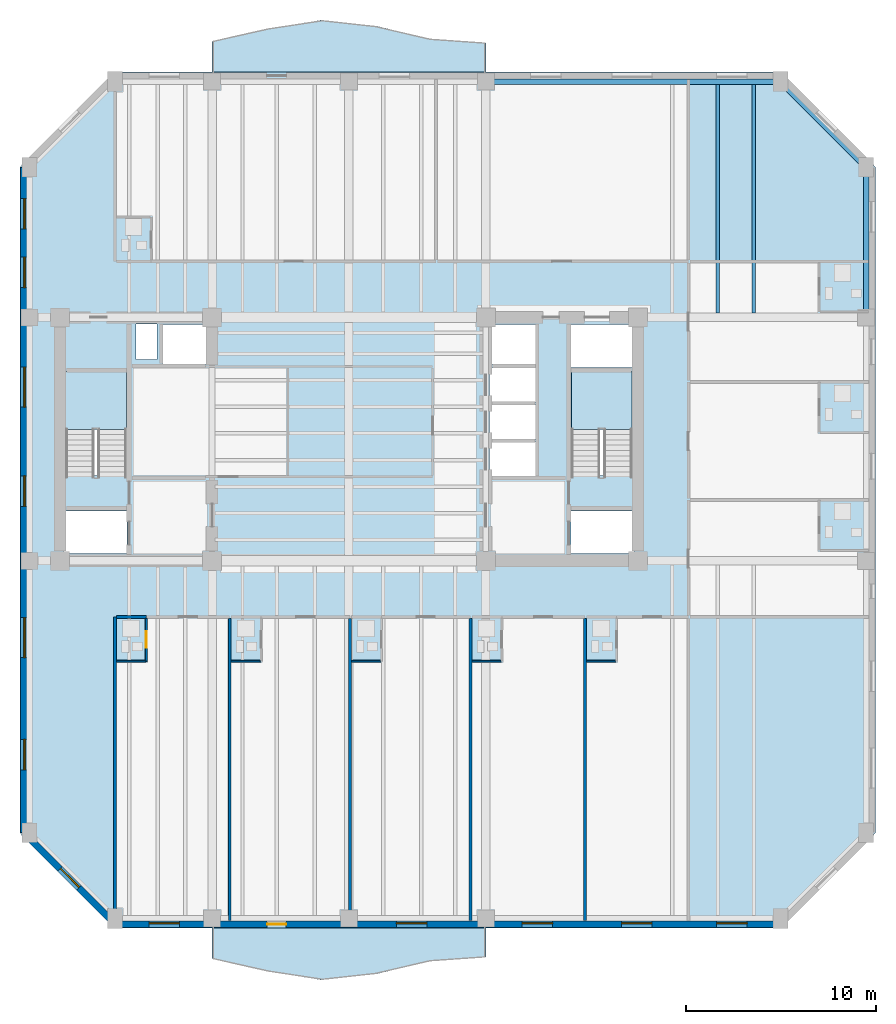
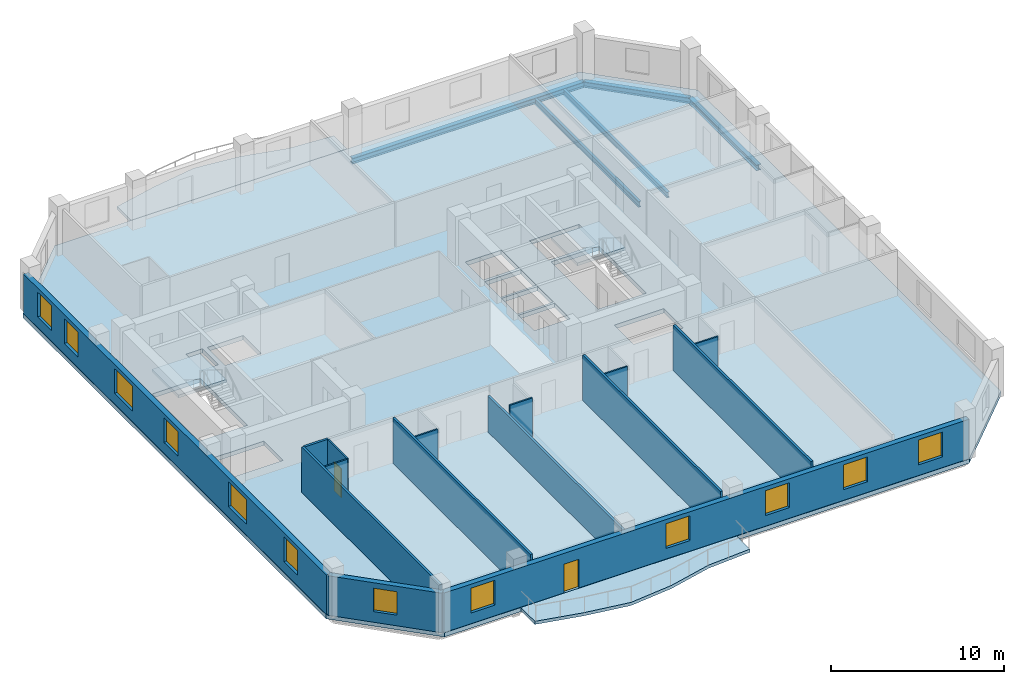
# One storey, part 2 of 10: 15 walls, 12 windows, 5 beams, 5 slabs, 2 doors, 14 openings, 2 elements without a shape of their own.
"""IFC4 building model written with IfcOpenShell, lengths in metres."""

from ifc_helpers import new_model, si_unit, direction, frame, frame_2d, origin, origin_2d, place, context, subcontext, project, spatial, polyline, rectangle, i_section, outline, extrude, material, layer, layer_set, material_profile, profile_set, type_object, element, fill, aggregate, save


model = new_model("IFC4")

# Units and contexts
model_context = context("Model", 3, precision=1e-05, world=origin(), true_north=direction((0.0, 1.0)))
body_context = subcontext(model_context, "Body", "Model", "MODEL_VIEW")
ifc_project = project(units=[si_unit("LENGTHUNIT", "METRE"), si_unit("AREAUNIT", "SQUARE_METRE"), si_unit("VOLUMEUNIT", "CUBIC_METRE"), si_unit("PLANEANGLEUNIT", "RADIAN"), si_unit("MASSUNIT", "GRAM", prefix="KILO")], contexts=[model_context])

# Site, building, storey
site_placement = place(None, origin())
site = spatial("IfcSite", under=ifc_project, at=site_placement, CompositionType="ELEMENT")
building_placement = place(site_placement, origin())
building = spatial("IfcBuilding", under=site, at=building_placement, Name="Kranthara Brick Stack", CompositionType="ELEMENT")
storey_placement = place(building_placement, frame((0.0, 0.0, 151.800048828125)))
storey = spatial("IfcBuildingStorey", under=building, at=storey_placement, Name="L38", CompositionType="ELEMENT", Elevation=151.800048828125)

# Beams
ifc_material_1 = material(Name="Steel S355", Category="steel")
ifc_material_profile_1 = material_profile(ifc_material_1, i_section(OverallWidth=0.179931640625, OverallDepth=0.39990234375, WebThickness=0.008544921875, FlangeThickness=0.013427734375, at=origin_2d()), Name="IPE 400")
ifc_profile_set_1 = profile_set([ifc_material_profile_1], Name="Steel S355")
beam_type_1 = type_object("IfcBeamType", Name="BM-JST-IPE400", PredefinedType="JOIST", material=ifc_profile_set_1)
for number, where, z_axis, x_axis, name in (
    (1, (47.39990234375, 33.824951171875, -0.5), (0.0, 1.0, 0.0), (-1.0, 0.0, 0.0), "L38 North Wing Floor Joist 073"),
    (2, (49.300048828125, 33.824951171875, -0.5), (0.0, 1.0, 0.0), (-1.0, 0.0, 0.0), "L38 North Wing Floor Joist 075"),
):
    element("IfcBeam", number, at=place(storey_placement, frame(where, z_axis=z_axis, x_axis=x_axis)), inside=storey, type_object=beam_type_1, Name=name, PredefinedType="JOIST", context=body_context, shape_type="SweptSolid", body=[
        extrude(i_section(OverallWidth=0.179931640625, OverallDepth=0.39990234375, WebThickness=0.008544921875, FlangeThickness=0.013427734375, at=origin_2d()), origin(), (0.0, 0.0, 1.0), 12.025146484375),
    ])
ifc_material_2 = material(Name="Steel S355", Category="steel")
ifc_material_profile_2 = material_profile(ifc_material_2, i_section(OverallWidth=0.300048828125, OverallDepth=0.39990234375, WebThickness=0.013427734375, FlangeThickness=0.02392578125, at=origin_2d()), Name="HEB 400")
ifc_profile_set_2 = profile_set([ifc_material_profile_2], Name="Steel S355")
beam_type_2 = type_object("IfcBeamType", Name="BM-STL-HEB400", PredefinedType="SPANDREL", material=ifc_profile_set_2)
beam_1_placement = place(storey_placement, frame((35.199951171875, 46.0, -0.5), z_axis=(1.0, 0.0, 0.0), x_axis=(0.0, 1.0, 0.0)))
element("IfcBeam", 3, at=beam_1_placement, inside=storey, type_object=beam_type_2, Name="L38 Perimeter Spandrel Beam 012", PredefinedType="SPANDREL", context=body_context, shape_type="SweptSolid", body=[
    extrude(i_section(OverallWidth=0.300048828125, OverallDepth=0.39990234375, WebThickness=0.013427734375, FlangeThickness=0.02392578125, at=origin_2d()), origin(), (0.0, 0.0, 1.0), 15.5),
])
beam_2_placement = place(storey_placement, frame((55.199951171875, 33.60009765625, -0.5), z_axis=(0.0, 1.0, 0.0), x_axis=(-1.0, 0.0, 0.0)))
element("IfcBeam", 4, at=beam_2_placement, inside=storey, type_object=beam_type_2, Name="L38 Perimeter Spandrel Beam 018", PredefinedType="SPANDREL", context=body_context, shape_type="SweptSolid", body=[
    extrude(i_section(OverallWidth=0.300048828125, OverallDepth=0.39990234375, WebThickness=0.013427734375, FlangeThickness=0.02392578125, at=origin_2d()), origin(), (0.0, 0.0, 1.0), 7.89990234375),
])
beam_3_placement = place(storey_placement, frame((50.699951171875, 46.0, -0.5), z_axis=(0.707106781187, -0.707106781187, 0.0), x_axis=(0.707106781187, 0.707106781187, 0.0)))
element("IfcBeam", 5, at=beam_3_placement, inside=storey, type_object=beam_type_2, Name="L38 Chamfer Corner Spandrel 022", PredefinedType="SPANDREL", context=body_context, shape_type="SweptSolid", body=[
    extrude(i_section(OverallWidth=0.300048828125, OverallDepth=0.39990234375, WebThickness=0.013427734375, FlangeThickness=0.02392578125, at=origin_2d()), origin(), (0.0, 0.0, 1.0), 6.364013671875),
])

# Slabs
ifc_material_3 = material(Name="Concrete C45/55", Category="concrete")
ifc_layer_1 = layer(ifc_material_3, 0.219970703125)
ifc_layer_set_1 = layer_set([ifc_layer_1], Name="Concrete C45/55")
slab_type_1 = type_object("IfcSlabType", Name="SLB-BALC-220", PredefinedType="FLOOR", material=ifc_layer_set_1)
slab_1_placement = place(storey_placement, frame((0.0, 0.0, -0.219970703125)))
element("IfcSlab", 6, at=slab_1_placement, inside=storey, type_object=slab_type_1, Name="L38 South Rippling Balcony Slab", PredefinedType="FLOOR", context=body_context, shape_type="SweptSolid", body=[
    extrude(outline(polyline([(20.800048828125, 1.5), (35.199951171875, 1.5), (35.199951171875, -0.027587890625), (32.320068359375, -0.23291015625), (29.43994140625, -0.931396484375), (26.56005859375, -1.24462890625), (23.679931640625, -0.7783203125), (20.800048828125, -0.119384765625), (20.800048828125, 1.5)])), origin(), (0.0, 0.0, 1.0), 0.219970703125),
])
slab_2_placement = place(storey_placement, frame((0.0, 0.0, -0.219970703125)))
element("IfcSlab", 7, at=slab_2_placement, inside=storey, type_object=slab_type_1, Name="L38 North Rippling Balcony Slab", PredefinedType="FLOOR", context=body_context, shape_type="SweptSolid", body=[
    extrude(outline(polyline([(35.199951171875, 46.5), (20.800048828125, 46.5), (20.800048828125, 48.119384765625), (23.679931640625, 48.7783203125), (26.56005859375, 49.24462890625), (29.43994140625, 48.931396484375), (32.320068359375, 48.23291015625), (35.199951171875, 48.027587890625), (35.199951171875, 46.5)])), origin(), (0.0, 0.0, 1.0), 0.219970703125),
])

# Stair, slab
ifc_material_4 = material(Name="Concrete C45/55", Category="concrete")
stair_type = type_object("IfcStairType", Name="ST-CORE-20R", PredefinedType="HALF_TURN_STAIR", material=ifc_material_4)
stair_1_placement = place(storey_placement, origin())
stair_1 = element("IfcStair", 8, at=stair_1_placement, inside=storey, type_object=stair_type, Name="L38 West Core Protected Exit Stair ST01", PredefinedType="HALF_TURN_STAIR")
ifc_material_5 = material(Name="Concrete C45/55", Category="concrete")
ifc_layer_2 = layer(ifc_material_5, 0.199951171875)
ifc_layer_set_2 = layer_set([ifc_layer_2], Name="Concrete C45/55")
slab_type_2 = type_object("IfcSlabType", Name="SLB-LANDING-200", PredefinedType="LANDING", material=ifc_layer_set_2)
slab_3_placement = place(storey_placement, frame((0.0, 0.0, 1.550048828125)))
slab_3 = element("IfcSlab", 9, at=slab_3_placement, type_object=slab_type_2, Name="ST01 landing 1", PredefinedType="LANDING", context=body_context, shape_type="SweptSolid", body=[
    extrude(outline(polyline([(16.300048828125, 27.719970703125), (16.300048828125, 30.75), (13.10009765625, 30.75), (13.10009765625, 27.719970703125), (16.300048828125, 27.719970703125)])), origin(), (0.0, 0.0, 1.0), 0.199951171875),
])
aggregate(stair_1, [slab_3])

stair_2_placement = place(storey_placement, origin())
stair_2 = element("IfcStair", 10, at=stair_2_placement, inside=storey, type_object=stair_type, Name="L38 East Core Protected Exit Stair ST02", PredefinedType="HALF_TURN_STAIR")
slab_4_placement = place(storey_placement, frame((0.0, 0.0, 1.550048828125)))
slab_4 = element("IfcSlab", 11, at=slab_4_placement, type_object=slab_type_2, Name="ST02 landing 1", PredefinedType="LANDING", context=body_context, shape_type="SweptSolid", body=[
    extrude(outline(polyline([(42.89990234375, 27.719970703125), (42.89990234375, 30.75), (39.699951171875, 30.75), (39.699951171875, 27.719970703125), (42.89990234375, 27.719970703125)])), origin(), (0.0, 0.0, 1.0), 0.199951171875),
])
aggregate(stair_2, [slab_4])

# Slab
ifc_material_6 = material(Name="Post-tensioned concrete C45/55", Category="concrete")
ifc_layer_3 = layer(ifc_material_6, 0.300048828125)
ifc_layer_set_3 = layer_set([ifc_layer_3], Name="Post-tensioned concrete C45/55")
slab_type_3 = type_object("IfcSlabType", Name="SLB-TWR-300", PredefinedType="FLOOR", material=ifc_layer_set_3)
slab_5_placement = place(storey_placement, frame((0.0, 0.0, -0.300048828125)))
element("IfcSlab", 12, at=slab_5_placement, inside=storey, type_object=slab_type_3, Name="L38 Structural Floor Plate", PredefinedType="FLOOR", context=body_context, shape_type="SweptSolid", body=[
    extrude(outline(polyline([(15.699951171875, 1.5), (50.699951171875, 1.5), (55.699951171875, 6.5), (55.699951171875, 41.5), (50.699951171875, 46.5), (15.699951171875, 46.5), (10.699951171875, 41.5), (10.699951171875, 6.5), (15.699951171875, 1.5)]), holes=[polyline([(13.10009765625, 25.280029296875), (16.300048828125, 25.280029296875), (16.300048828125, 30.75), (13.10009765625, 30.75), (13.10009765625, 25.280029296875)]), polyline([(39.699951171875, 25.280029296875), (42.89990234375, 25.280029296875), (42.89990234375, 30.75), (39.699951171875, 30.75), (39.699951171875, 25.280029296875)]), polyline([(13.0, 21.179931640625), (16.320068359375, 21.179931640625), (16.320068359375, 23.419921875), (13.0, 23.419921875), (13.0, 21.179931640625)]), polyline([(39.679931640625, 21.179931640625), (43.0, 21.179931640625), (43.0, 23.419921875), (39.679931640625, 23.419921875), (39.679931640625, 21.179931640625)]), polyline([(39.679931640625, 30.97998046875), (43.0, 30.97998046875), (43.0, 33.219970703125), (39.679931640625, 33.219970703125), (39.679931640625, 30.97998046875)]), polyline([(35.39990234375, 25.25), (37.800048828125, 25.25), (37.800048828125, 27.050048828125), (35.39990234375, 27.050048828125), (35.39990234375, 25.25)]), polyline([(35.39990234375, 27.199951171875), (37.800048828125, 27.199951171875), (37.800048828125, 29.0), (35.39990234375, 29.0), (35.39990234375, 27.199951171875)]), polyline([(35.39990234375, 29.14990234375), (37.800048828125, 29.14990234375), (37.800048828125, 30.949951171875), (35.39990234375, 30.949951171875), (35.39990234375, 29.14990234375)]), polyline([(18.199951171875, 31.14990234375), (20.60009765625, 31.14990234375), (20.60009765625, 33.219970703125), (18.199951171875, 33.219970703125), (18.199951171875, 31.14990234375)]), polyline([(35.39990234375, 31.14990234375), (37.800048828125, 31.14990234375), (37.800048828125, 33.219970703125), (35.39990234375, 33.219970703125), (35.39990234375, 31.14990234375)]), polyline([(16.800048828125, 31.39990234375), (17.89990234375, 31.39990234375), (17.89990234375, 33.25), (16.800048828125, 33.25), (16.800048828125, 31.39990234375)])]), origin(), (0.0, 0.0, 1.0), 0.300048828125),
])

# Wall, openings, door, windows
ifc_material_7 = material(Name="Kiln-fired clay brick masonry M15", Category="masonry")
ifc_layer_4 = layer(ifc_material_7, 0.35009765625)
ifc_layer_set_4 = layer_set([ifc_layer_4], Name="Kiln-fired clay brick masonry M15")
wall_type_1 = type_object("IfcWallType", Name="WL-BRK-SPND-350", PredefinedType="STANDARD", material=ifc_layer_set_4)
wall_1_placement = place(storey_placement, frame((50.699951171875, 1.695068359375, 0.0), z_axis=(0.0, 0.0, 1.0), x_axis=(-1.0, 0.0, 0.0)))
wall_1 = element("IfcWall", 13, at=wall_1_placement, inside=storey, type_object=wall_type_1, Name="L38 Exterior Brick Facade Wall SOUTH 1", PredefinedType="STANDARD", context=body_context, shape_type="SweptSolid", body=[
    extrude(rectangle(XDim=35.0, YDim=0.35009765625, at=frame_2d((17.5, 0.0))), origin(), (0.0, 0.0, 1.0), 2.784912109375),
])
opening_1_placement = place(wall_1_placement, frame((26.0, 0.0, 0.0)))
opening_1 = element("IfcOpeningElement", 14, at=opening_1_placement, cuts=wall_1, Name="Opening D03", PredefinedType="OPENING", context=body_context, shape_type="SweptSolid", body=[
    extrude(rectangle(XDim=1.0, YDim=2.02001953125, at=frame_2d((0.5, 1.010009765625))), frame((0.0, 0.18505859375, 0.0), z_axis=(0.0, -1.0, 0.0), x_axis=(1.0, 0.0, 0.0)), (0.0, 0.0, 1.0), 0.3701171875),
])
opening_2_placement = place(wall_1_placement, frame((1.762939453125, 0.0, 0.75)))
opening_2 = element("IfcOpeningElement", 15, at=opening_2_placement, cuts=wall_1, Name="Opening WN04", PredefinedType="OPENING", context=body_context, shape_type="SweptSolid", body=[
    extrude(rectangle(XDim=1.60009765625, YDim=1.75, at=frame_2d((0.800048828125, 0.875))), frame((0.0, 0.18505859375, 0.0), z_axis=(0.0, -1.0, 0.0), x_axis=(1.0, 0.0, 0.0)), (0.0, 0.0, 1.0), 0.3701171875),
])
opening_3_placement = place(wall_1_placement, frame((6.763916015625, 0.0, 0.75)))
opening_3 = element("IfcOpeningElement", 16, at=opening_3_placement, cuts=wall_1, Name="Opening WN04", PredefinedType="OPENING", context=body_context, shape_type="SweptSolid", body=[
    extrude(rectangle(XDim=1.60009765625, YDim=1.75, at=frame_2d((0.800048828125, 0.875))), frame((0.0, 0.18505859375, 0.0), z_axis=(0.0, -1.0, 0.0), x_axis=(1.0, 0.0, 0.0)), (0.0, 0.0, 1.0), 0.3701171875),
])
opening_4_placement = place(wall_1_placement, frame((11.989013671875, 0.0, 0.75)))
opening_4 = element("IfcOpeningElement", 17, at=opening_4_placement, cuts=wall_1, Name="Opening WN04", PredefinedType="OPENING", context=body_context, shape_type="SweptSolid", body=[
    extrude(rectangle(XDim=1.60009765625, YDim=1.75, at=frame_2d((0.800048828125, 0.875))), frame((0.0, 0.18505859375, 0.0), z_axis=(0.0, -1.0, 0.0), x_axis=(1.0, 0.0, 0.0)), (0.0, 0.0, 1.0), 0.3701171875),
])
opening_5_placement = place(wall_1_placement, frame((18.60400390625, 0.0, 0.75)))
opening_5 = element("IfcOpeningElement", 18, at=opening_5_placement, cuts=wall_1, Name="Opening WN04", PredefinedType="OPENING", context=body_context, shape_type="SweptSolid", body=[
    extrude(rectangle(XDim=1.60009765625, YDim=1.75, at=frame_2d((0.800048828125, 0.875))), frame((0.0, 0.18505859375, 0.0), z_axis=(0.0, -1.0, 0.0), x_axis=(1.0, 0.0, 0.0)), (0.0, 0.0, 1.0), 0.3701171875),
])
opening_6_placement = place(wall_1_placement, frame((31.613037109375, 0.0, 0.75)))
opening_6 = element("IfcOpeningElement", 19, at=opening_6_placement, cuts=wall_1, Name="Opening WN04", PredefinedType="OPENING", context=body_context, shape_type="SweptSolid", body=[
    extrude(rectangle(XDim=1.60009765625, YDim=1.75, at=frame_2d((0.800048828125, 0.875))), frame((0.0, 0.18505859375, 0.0), z_axis=(0.0, -1.0, 0.0), x_axis=(1.0, 0.0, 0.0)), (0.0, 0.0, 1.0), 0.3701171875),
])
ifc_material_8 = material(Name="Bronze anodised aluminium and laminated glass", Category="aluminium")
door_type_1 = type_object("IfcDoorType", Name="DR-BALC-1000", OperationType="NOTDEFINED", PredefinedType="DOOR", material=ifc_material_8)
door_1_placement = place(opening_1_placement, origin())
door_1 = element("IfcDoor", 20, at=door_1_placement, inside=storey, type_object=door_type_1, Name="L38 South Balcony Terrace Door", OperationType="SINGLE_SWING_LEFT", OverallHeight=2.02001953125, OverallWidth=1.0, PredefinedType="DOOR", context=body_context, shape_type="SweptSolid", body=[
    extrude(rectangle(XDim=1.0, YDim=2.02001953125, at=frame_2d((0.5, 1.010009765625))), frame((0.0, 0.02490234375, 0.0), z_axis=(0.0, -1.0, 0.0), x_axis=(1.0, 0.0, 0.0)), (0.0, 0.0, 1.0), 0.050048828125),
])
fill(opening_1, door_1)
ifc_material_9 = material(Name="Double-glazed low-E solar control glass", Category="glass")
window_type_1 = type_object("IfcWindowType", Name="WN-HTL-1600x1850", PartitioningType="DOUBLE_PANEL_VERTICAL", PredefinedType="WINDOW", material=ifc_material_9)
window_1_placement = place(opening_2_placement, origin())
window_1 = element("IfcWindow", 21, at=window_1_placement, inside=storey, type_object=window_type_1, Name="L38 South Deep-Set Brick Window 01", OverallHeight=1.75, OverallWidth=1.60009765625, PartitioningType="SINGLE_PANEL", PredefinedType="WINDOW", context=body_context, shape_type="SweptSolid", body=[
    extrude(rectangle(XDim=1.60009765625, YDim=1.75, at=frame_2d((0.800048828125, 0.875))), frame((0.0, -0.010009765625, 0.0), z_axis=(0.0, -1.0, 0.0), x_axis=(1.0, 0.0, 0.0)), (0.0, 0.0, 1.0), 0.06005859375),
])
fill(opening_2, window_1)
window_2_placement = place(opening_3_placement, origin())
window_2 = element("IfcWindow", 22, at=window_2_placement, inside=storey, type_object=window_type_1, Name="L38 South Deep-Set Brick Window 02", OverallHeight=1.75, OverallWidth=1.60009765625, PartitioningType="SINGLE_PANEL", PredefinedType="WINDOW", context=body_context, shape_type="SweptSolid", body=[
    extrude(rectangle(XDim=1.60009765625, YDim=1.75, at=frame_2d((0.800048828125, 0.875))), frame((0.0, -0.010009765625, 0.0), z_axis=(0.0, -1.0, 0.0), x_axis=(1.0, 0.0, 0.0)), (0.0, 0.0, 1.0), 0.06005859375),
])
fill(opening_3, window_2)
window_3_placement = place(opening_4_placement, origin())
window_3 = element("IfcWindow", 23, at=window_3_placement, inside=storey, type_object=window_type_1, Name="L38 South Deep-Set Brick Window 03", OverallHeight=1.75, OverallWidth=1.60009765625, PartitioningType="SINGLE_PANEL", PredefinedType="WINDOW", context=body_context, shape_type="SweptSolid", body=[
    extrude(rectangle(XDim=1.60009765625, YDim=1.75, at=frame_2d((0.800048828125, 0.875))), frame((0.0, -0.010009765625, 0.0), z_axis=(0.0, -1.0, 0.0), x_axis=(1.0, 0.0, 0.0)), (0.0, 0.0, 1.0), 0.06005859375),
])
fill(opening_4, window_3)
window_4_placement = place(opening_5_placement, origin())
window_4 = element("IfcWindow", 24, at=window_4_placement, inside=storey, type_object=window_type_1, Name="L38 South Deep-Set Brick Window 04", OverallHeight=1.75, OverallWidth=1.60009765625, PartitioningType="SINGLE_PANEL", PredefinedType="WINDOW", context=body_context, shape_type="SweptSolid", body=[
    extrude(rectangle(XDim=1.60009765625, YDim=1.75, at=frame_2d((0.800048828125, 0.875))), frame((0.0, -0.010009765625, 0.0), z_axis=(0.0, -1.0, 0.0), x_axis=(1.0, 0.0, 0.0)), (0.0, 0.0, 1.0), 0.06005859375),
])
fill(opening_5, window_4)
window_5_placement = place(opening_6_placement, origin())
window_5 = element("IfcWindow", 25, at=window_5_placement, inside=storey, type_object=window_type_1, Name="L38 South Deep-Set Brick Window 05", OverallHeight=1.75, OverallWidth=1.60009765625, PartitioningType="SINGLE_PANEL", PredefinedType="WINDOW", context=body_context, shape_type="SweptSolid", body=[
    extrude(rectangle(XDim=1.60009765625, YDim=1.75, at=frame_2d((0.800048828125, 0.875))), frame((0.0, -0.010009765625, 0.0), z_axis=(0.0, -1.0, 0.0), x_axis=(1.0, 0.0, 0.0)), (0.0, 0.0, 1.0), 0.06005859375),
])
fill(opening_6, window_5)

# Wall, opening, window
wall_2_placement = place(storey_placement, frame((15.699951171875, 1.695068359375, 0.0), z_axis=(0.0, 0.0, 1.0), x_axis=(-0.707106781187, 0.707106781187, 0.0)))
wall_2 = element("IfcWall", 26, at=wall_2_placement, inside=storey, type_object=wall_type_1, Name="L38 Exterior Brick Facade Wall SW 1", PredefinedType="STANDARD", context=body_context, shape_type="SweptSolid", body=[
    extrude(rectangle(XDim=6.795166015625, YDim=0.35009765625, at=frame_2d((3.3974609375, 0.0))), origin(), (0.0, 0.0, 1.0), 2.784912109375),
])
opening_7_placement = place(wall_2_placement, frame((2.697998046875, 0.0, 0.75)))
opening_7 = element("IfcOpeningElement", 27, at=opening_7_placement, cuts=wall_2, Name="Opening WN10", PredefinedType="OPENING", context=body_context, shape_type="SweptSolid", body=[
    extrude(rectangle(XDim=1.39990234375, YDim=1.64990234375, at=frame_2d((0.699951171875, 0.824951171875))), frame((0.0, 0.18505859375, 0.0), z_axis=(0.0, -1.0, 0.0), x_axis=(1.0, 0.0, 0.0)), (0.0, 0.0, 1.0), 0.3701171875),
])
ifc_material_10 = material(Name="Double-glazed low-E solar control glass", Category="glass")
window_type_2 = type_object("IfcWindowType", Name="WN-CHM-1400x1750", PartitioningType="SINGLE_PANEL", PredefinedType="WINDOW", material=ifc_material_10)
window_6_placement = place(opening_7_placement, origin())
window_6 = element("IfcWindow", 28, at=window_6_placement, inside=storey, type_object=window_type_2, Name="L38 SW Chamfer Corner Window", OverallHeight=1.64990234375, OverallWidth=1.39990234375, PartitioningType="SINGLE_PANEL", PredefinedType="WINDOW", context=body_context, shape_type="SweptSolid", body=[
    extrude(rectangle(XDim=1.39990234375, YDim=1.64990234375, at=frame_2d((0.699951171875, 0.824951171875))), frame((0.0, -0.010009765625, 0.0), z_axis=(0.0, -1.0, 0.0), x_axis=(1.0, 0.0, 0.0)), (0.0, 0.0, 1.0), 0.06005859375),
])
fill(opening_7, window_6)

# Wall, openings, windows
wall_3_placement = place(storey_placement, frame((10.89501953125, 6.5, 0.0), z_axis=(0.0, 0.0, 1.0), x_axis=(0.0, 1.0, 0.0)))
wall_3 = element("IfcWall", 29, at=wall_3_placement, inside=storey, type_object=wall_type_1, Name="L38 Exterior Brick Facade Wall WEST 1", PredefinedType="STANDARD", context=body_context, shape_type="SweptSolid", body=[
    extrude(rectangle(XDim=35.0, YDim=0.35009765625, at=frame_2d((17.5, 0.0))), origin(), (0.0, 0.0, 1.0), 2.784912109375),
])
opening_8_placement = place(wall_3_placement, frame((3.31005859375, 0.0, 0.75)))
opening_8 = element("IfcOpeningElement", 30, at=opening_8_placement, cuts=wall_3, Name="Opening WN04", PredefinedType="OPENING", context=body_context, shape_type="SweptSolid", body=[
    extrude(rectangle(XDim=1.60009765625, YDim=1.75, at=frame_2d((0.800048828125, 0.875))), frame((0.0, 0.18505859375, 0.0), z_axis=(0.0, -1.0, 0.0), x_axis=(1.0, 0.0, 0.0)), (0.0, 0.0, 1.0), 0.3701171875),
])
opening_9_placement = place(wall_3_placement, frame((9.216064453125, 0.0, 0.75)))
opening_9 = element("IfcOpeningElement", 31, at=opening_9_placement, cuts=wall_3, Name="Opening WN05", PredefinedType="OPENING", context=body_context, shape_type="SweptSolid", body=[
    extrude(rectangle(XDim=2.10009765625, YDim=1.75, at=frame_2d((1.050048828125, 0.875))), frame((0.0, 0.18505859375, 0.0), z_axis=(0.0, -1.0, 0.0), x_axis=(1.0, 0.0, 0.0)), (0.0, 0.0, 1.0), 0.3701171875),
])
opening_10_placement = place(wall_3_placement, frame((17.1640625, 0.0, 0.75)))
opening_10 = element("IfcOpeningElement", 32, at=opening_10_placement, cuts=wall_3, Name="Opening WN04", PredefinedType="OPENING", context=body_context, shape_type="SweptSolid", body=[
    extrude(rectangle(XDim=1.60009765625, YDim=1.75, at=frame_2d((0.800048828125, 0.875))), frame((0.0, 0.18505859375, 0.0), z_axis=(0.0, -1.0, 0.0), x_axis=(1.0, 0.0, 0.0)), (0.0, 0.0, 1.0), 0.3701171875),
])
opening_11_placement = place(wall_3_placement, frame((22.385986328125, 0.0, 0.75)))
opening_11 = element("IfcOpeningElement", 33, at=opening_11_placement, cuts=wall_3, Name="Opening WN05", PredefinedType="OPENING", context=body_context, shape_type="SweptSolid", body=[
    extrude(rectangle(XDim=2.10009765625, YDim=1.75, at=frame_2d((1.050048828125, 0.875))), frame((0.0, 0.18505859375, 0.0), z_axis=(0.0, -1.0, 0.0), x_axis=(1.0, 0.0, 0.0)), (0.0, 0.0, 1.0), 0.3701171875),
])
opening_12_placement = place(wall_3_placement, frame((28.6708984375, 0.0, 0.75)))
opening_12 = element("IfcOpeningElement", 34, at=opening_12_placement, cuts=wall_3, Name="Opening WN04", PredefinedType="OPENING", context=body_context, shape_type="SweptSolid", body=[
    extrude(rectangle(XDim=1.60009765625, YDim=1.75, at=frame_2d((0.800048828125, 0.875))), frame((0.0, 0.18505859375, 0.0), z_axis=(0.0, -1.0, 0.0), x_axis=(1.0, 0.0, 0.0)), (0.0, 0.0, 1.0), 0.3701171875),
])
opening_13_placement = place(wall_3_placement, frame((31.7548828125, 0.0, 0.75)))
opening_13 = element("IfcOpeningElement", 35, at=opening_13_placement, cuts=wall_3, Name="Opening WN04", PredefinedType="OPENING", context=body_context, shape_type="SweptSolid", body=[
    extrude(rectangle(XDim=1.60009765625, YDim=1.75, at=frame_2d((0.800048828125, 0.875))), frame((0.0, 0.18505859375, 0.0), z_axis=(0.0, -1.0, 0.0), x_axis=(1.0, 0.0, 0.0)), (0.0, 0.0, 1.0), 0.3701171875),
])
window_7_placement = place(opening_8_placement, origin())
window_7 = element("IfcWindow", 36, at=window_7_placement, inside=storey, type_object=window_type_1, Name="L38 West Deep-Set Brick Window 01", OverallHeight=1.75, OverallWidth=1.60009765625, PartitioningType="SINGLE_PANEL", PredefinedType="WINDOW", context=body_context, shape_type="SweptSolid", body=[
    extrude(rectangle(XDim=1.60009765625, YDim=1.75, at=frame_2d((0.800048828125, 0.875))), frame((0.0, -0.010009765625, 0.0), z_axis=(0.0, -1.0, 0.0), x_axis=(1.0, 0.0, 0.0)), (0.0, 0.0, 1.0), 0.06005859375),
])
fill(opening_8, window_7)
window_8_placement = place(opening_10_placement, origin())
window_8 = element("IfcWindow", 37, at=window_8_placement, inside=storey, type_object=window_type_1, Name="L38 West Deep-Set Brick Window 03", OverallHeight=1.75, OverallWidth=1.60009765625, PartitioningType="SINGLE_PANEL", PredefinedType="WINDOW", context=body_context, shape_type="SweptSolid", body=[
    extrude(rectangle(XDim=1.60009765625, YDim=1.75, at=frame_2d((0.800048828125, 0.875))), frame((0.0, -0.010009765625, 0.0), z_axis=(0.0, -1.0, 0.0), x_axis=(1.0, 0.0, 0.0)), (0.0, 0.0, 1.0), 0.06005859375),
])
fill(opening_10, window_8)
window_9_placement = place(opening_12_placement, origin())
window_9 = element("IfcWindow", 38, at=window_9_placement, inside=storey, type_object=window_type_1, Name="L38 West Deep-Set Brick Window 05", OverallHeight=1.75, OverallWidth=1.60009765625, PartitioningType="SINGLE_PANEL", PredefinedType="WINDOW", context=body_context, shape_type="SweptSolid", body=[
    extrude(rectangle(XDim=1.60009765625, YDim=1.75, at=frame_2d((0.800048828125, 0.875))), frame((0.0, -0.010009765625, 0.0), z_axis=(0.0, -1.0, 0.0), x_axis=(1.0, 0.0, 0.0)), (0.0, 0.0, 1.0), 0.06005859375),
])
fill(opening_12, window_9)
window_10_placement = place(opening_13_placement, origin())
window_10 = element("IfcWindow", 39, at=window_10_placement, inside=storey, type_object=window_type_1, Name="L38 West Deep-Set Brick Window 06", OverallHeight=1.75, OverallWidth=1.60009765625, PartitioningType="SINGLE_PANEL", PredefinedType="WINDOW", context=body_context, shape_type="SweptSolid", body=[
    extrude(rectangle(XDim=1.60009765625, YDim=1.75, at=frame_2d((0.800048828125, 0.875))), frame((0.0, -0.010009765625, 0.0), z_axis=(0.0, -1.0, 0.0), x_axis=(1.0, 0.0, 0.0)), (0.0, 0.0, 1.0), 0.06005859375),
])
fill(opening_13, window_10)
ifc_material_11 = material(Name="Double-glazed low-E solar control glass", Category="glass")
window_type_3 = type_object("IfcWindowType", Name="WN-HTL-2100x1850", PartitioningType="DOUBLE_PANEL_VERTICAL", PredefinedType="WINDOW", material=ifc_material_11)
window_11_placement = place(opening_9_placement, origin())
window_11 = element("IfcWindow", 40, at=window_11_placement, inside=storey, type_object=window_type_3, Name="L38 West Deep-Set Brick Window 02", OverallHeight=1.75, OverallWidth=2.10009765625, PartitioningType="SINGLE_PANEL", PredefinedType="WINDOW", context=body_context, shape_type="SweptSolid", body=[
    extrude(rectangle(XDim=2.10009765625, YDim=1.75, at=frame_2d((1.050048828125, 0.875))), frame((0.0, -0.010009765625, 0.0), z_axis=(0.0, -1.0, 0.0), x_axis=(1.0, 0.0, 0.0)), (0.0, 0.0, 1.0), 0.06005859375),
])
fill(opening_9, window_11)
window_12_placement = place(opening_11_placement, origin())
window_12 = element("IfcWindow", 41, at=window_12_placement, inside=storey, type_object=window_type_3, Name="L38 West Deep-Set Brick Window 04", OverallHeight=1.75, OverallWidth=2.10009765625, PartitioningType="SINGLE_PANEL", PredefinedType="WINDOW", context=body_context, shape_type="SweptSolid", body=[
    extrude(rectangle(XDim=2.10009765625, YDim=1.75, at=frame_2d((1.050048828125, 0.875))), frame((0.0, -0.010009765625, 0.0), z_axis=(0.0, -1.0, 0.0), x_axis=(1.0, 0.0, 0.0)), (0.0, 0.0, 1.0), 0.06005859375),
])
fill(opening_11, window_12)

# Wall, opening, door
ifc_material_12 = material(Name="Moisture-resistant wet-room partition", Category="other")
ifc_layer_5 = layer(ifc_material_12, 0.10009765625)
ifc_layer_set_5 = layer_set([ifc_layer_5], Name="Moisture-resistant wet-room partition")
wall_type_2 = type_object("IfcWallType", Name="WL-PART-100", PredefinedType="PARTITIONING", material=ifc_layer_set_5)
wall_4_placement = place(storey_placement, frame((17.35009765625, 15.52001953125, 0.0), z_axis=(0.0, 0.0, 1.0), x_axis=(0.0, 1.0, 0.0)))
wall_4 = element("IfcWall", 42, at=wall_4_placement, inside=storey, type_object=wall_type_2, Name="L38 Interior Partition 008", PredefinedType="PARTITIONING", context=body_context, shape_type="SweptSolid", body=[
    extrude(rectangle(XDim=2.25, YDim=0.10009765625, at=frame_2d((1.125, 0.0))), origin(), (0.0, 0.0, 1.0), 3.199951171875),
])
opening_14_placement = place(wall_4_placement, frame((0.719970703125, 0.0, 0.0)))
opening_14 = element("IfcOpeningElement", 43, at=opening_14_placement, cuts=wall_4, Name="Opening D17", PredefinedType="OPENING", context=body_context, shape_type="SweptSolid", body=[
    extrude(rectangle(XDim=0.85009765625, YDim=2.050048828125, at=frame_2d((0.425048828125, 1.02490234375))), frame((0.0, 0.06005859375, 0.0), z_axis=(0.0, -1.0, 0.0), x_axis=(1.0, 0.0, 0.0)), (0.0, 0.0, 1.0), 0.1201171875),
])
ifc_material_13 = material(Name="Solid-core hardwood timber leaf in steel frame", Category="steel")
door_type_2 = type_object("IfcDoorType", Name="DR-WET-850", OperationType="NOTDEFINED", PredefinedType="DOOR", material=ifc_material_13)
door_2_placement = place(opening_14_placement, origin())
door_2 = element("IfcDoor", 44, at=door_2_placement, inside=storey, type_object=door_type_2, Name="L38 Key 01 En-Suite Door 03", OperationType="SINGLE_SWING_LEFT", OverallHeight=2.050048828125, OverallWidth=0.85009765625, PredefinedType="DOOR", context=body_context, shape_type="SweptSolid", body=[
    extrude(rectangle(XDim=0.85009765625, YDim=2.050048828125, at=frame_2d((0.425048828125, 1.02490234375))), frame((0.0, 0.02490234375, 0.0), z_axis=(0.0, -1.0, 0.0), x_axis=(1.0, 0.0, 0.0)), (0.0, 0.0, 1.0), 0.050048828125),
])
fill(opening_14, door_2)

# Walls
for number, where, z_axis, x_axis, name in (
    (45, (15.780029296875, 15.52001953125, 0.0), (0.0, 0.0, 1.0), (1.0, 0.0, 0.0), "L38 Interior Partition 009"),
    (46, (21.81005859375, 15.52001953125, 0.0), (0.0, 0.0, 1.0), (1.0, 0.0, 0.0), "L38 Interior Partition 014"),
    (47, (28.14111328125, 15.52001953125, 0.0), (0.0, 0.0, 1.0), (1.0, 0.0, 0.0), "L38 Interior Partition 019"),
):
    element("IfcWall", number, at=place(storey_placement, frame(where, z_axis=z_axis, x_axis=x_axis)), inside=storey, type_object=wall_type_2, Name=name, PredefinedType="PARTITIONING", context=body_context, shape_type="SweptSolid", body=[
        extrude(rectangle(XDim=1.514892578125, YDim=0.10009765625, at=frame_2d((0.75732421875, 0.0))), origin(), (0.0, 0.0, 1.0), 3.199951171875),
    ])
for number, where, z_axis, x_axis, name in (
    (48, (34.472900390625, 15.52001953125, 0.0), (0.0, 0.0, 1.0), (1.0, 0.0, 0.0), "L38 Interior Partition 024"),
    (49, (40.5029296875, 15.52001953125, 0.0), (0.0, 0.0, 1.0), (1.0, 0.0, 0.0), "L38 Interior Partition 029"),
):
    element("IfcWall", number, at=place(storey_placement, frame(where, z_axis=z_axis, x_axis=x_axis)), inside=storey, type_object=wall_type_2, Name=name, PredefinedType="PARTITIONING", context=body_context, shape_type="SweptSolid", body=[
        extrude(rectangle(XDim=1.51513671875, YDim=0.10009765625, at=frame_2d((0.757568359375, 0.0))), origin(), (0.0, 0.0, 1.0), 3.199951171875),
    ])
ifc_material_14 = material(Name="Fire-rated gypsum board partition", Category="other")
ifc_layer_6 = layer(ifc_material_14, 0.14990234375)
ifc_layer_set_6 = layer_set([ifc_layer_6], Name="Fire-rated gypsum board partition")
wall_type_3 = type_object("IfcWallType", Name="WL-PART-150", PredefinedType="PARTITIONING", material=ifc_layer_set_6)
wall_5_placement = place(storey_placement, frame((15.699951171875, 1.875, 0.0), z_axis=(0.0, 0.0, 1.0), x_axis=(0.0, 1.0, 0.0)))
element("IfcWall", 50, at=wall_5_placement, inside=storey, type_object=wall_type_3, Name="L38 Interior Partition 005", PredefinedType="PARTITIONING", context=body_context, shape_type="SweptSolid", body=[
    extrude(rectangle(XDim=15.97509765625, YDim=0.14990234375, at=frame_2d((7.987548828125, 0.0))), origin(), (0.0, 0.0, 1.0), 3.199951171875),
])
wall_6_placement = place(storey_placement, frame((15.780029296875, 17.85009765625, 0.0), z_axis=(0.0, 0.0, 1.0), x_axis=(1.0, 0.0, 0.0)))
element("IfcWall", 51, at=wall_6_placement, inside=storey, type_object=wall_type_3, Name="L38 Interior Partition 006", PredefinedType="PARTITIONING", context=body_context, shape_type="SweptSolid", body=[
    extrude(rectangle(XDim=1.570068359375, YDim=0.14990234375, at=frame_2d((0.78515625, 0.0))), origin(), (0.0, 0.0, 1.0), 3.199951171875),
])
wall_7_placement = place(storey_placement, frame((21.72998046875, 1.875, 0.0), z_axis=(0.0, 0.0, 1.0), x_axis=(0.0, 1.0, 0.0)))
element("IfcWall", 52, at=wall_7_placement, inside=storey, type_object=wall_type_3, Name="L38 Interior Partition 010", PredefinedType="PARTITIONING", context=body_context, shape_type="SweptSolid", body=[
    extrude(rectangle(XDim=15.89501953125, YDim=0.14990234375, at=frame_2d((7.947509765625, 0.0))), origin(), (0.0, 0.0, 1.0), 3.199951171875),
])
wall_8_placement = place(storey_placement, frame((28.06103515625, 1.875, 0.0), z_axis=(0.0, 0.0, 1.0), x_axis=(0.0, 1.0, 0.0)))
element("IfcWall", 53, at=wall_8_placement, inside=storey, type_object=wall_type_3, Name="L38 Interior Partition 015", PredefinedType="PARTITIONING", context=body_context, shape_type="SweptSolid", body=[
    extrude(rectangle(XDim=15.89501953125, YDim=0.14990234375, at=frame_2d((7.947509765625, 0.0))), origin(), (0.0, 0.0, 1.0), 2.534912109375),
])
for number, where, z_axis, x_axis, name in (
    (54, (34.39306640625, 1.875, 0.0), (0.0, 0.0, 1.0), (0.0, 1.0, 0.0), "L38 Interior Partition 020"),
    (55, (40.423095703125, 1.875, 0.0), (0.0, 0.0, 1.0), (0.0, 1.0, 0.0), "L38 Interior Partition 025"),
):
    element("IfcWall", number, at=place(storey_placement, frame(where, z_axis=z_axis, x_axis=x_axis)), inside=storey, type_object=wall_type_3, Name=name, PredefinedType="PARTITIONING", context=body_context, shape_type="SweptSolid", body=[
        extrude(rectangle(XDim=15.89501953125, YDim=0.14990234375, at=frame_2d((7.947509765625, 0.0))), origin(), (0.0, 0.0, 1.0), 3.199951171875),
    ])

save(model, "model.ifc")
